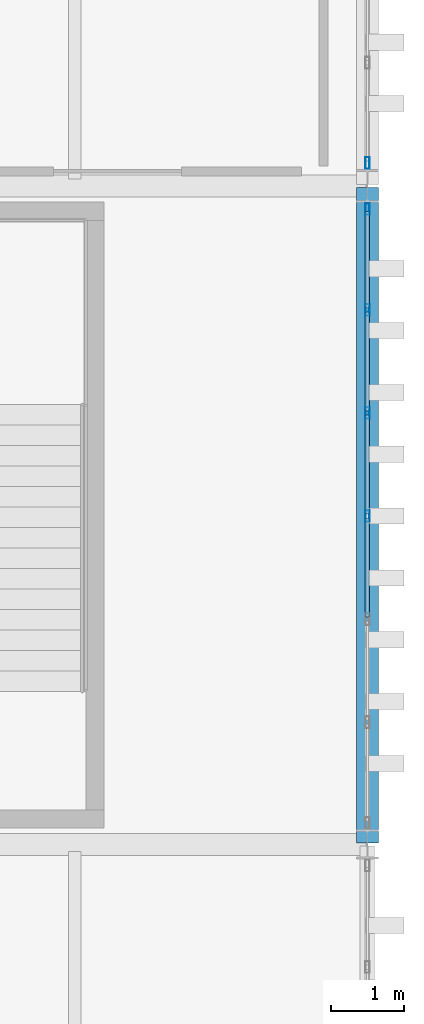
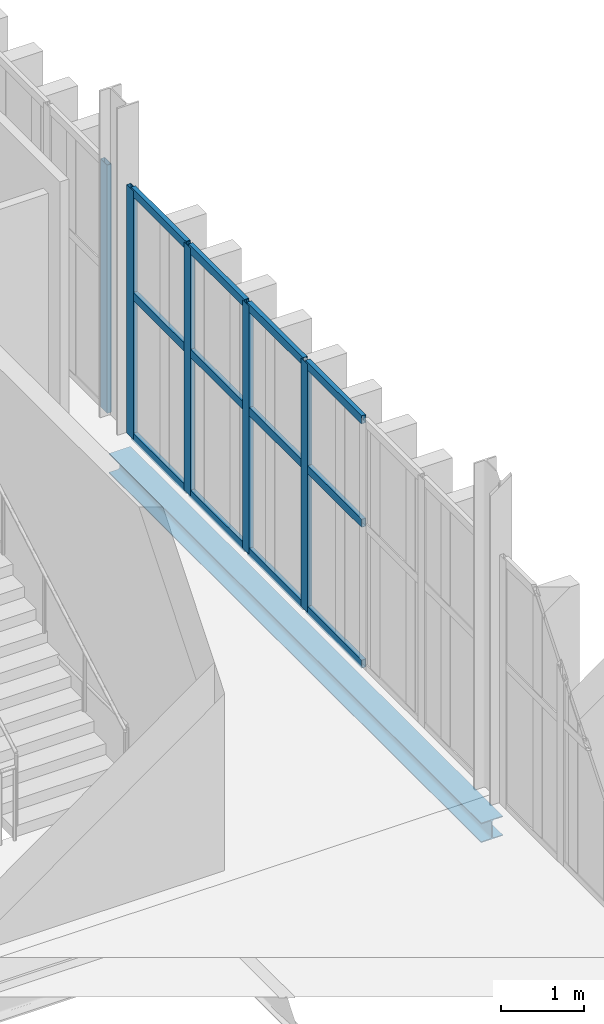
# One storey, part 130 of 196: 17 members, 1 beam, 2 elements without a shape of their own.
"""IFC4 building model written with IfcOpenShell, lengths in metres."""

import ifcopenshell
import ifcopenshell.guid

model = None  # the IFC model being written
_history = None  # IfcOwnerHistory: only IFC2X3 demands one
_inside = {}  # id of a spatial element -> (the spatial element, [elements in it])
_under = {}  # id of a project, library or spatial element -> (it, [spatial elements below it])
_declared = {}  # id of a project -> (the project, [libraries it declares])
_typed = {}  # id of a type object -> (the type object, [elements of that type])
_made_of = {}  # id of a material, layer set ... -> (it, [elements and type objects made of it])


def new_model(schema):
    """Start an empty IFC model of exactly this schema.

    Asked for "IFC4X3", IfcOpenShell would pick the latest addendum, in which some entities
    have other attributes; the version numbers below select the first issue.
    IFC2X3 requires an IfcOwnerHistory on every rooted entity: one is made here for all.
    """
    global model, _history
    if schema == "IFC4X3":
        model = ifcopenshell.file(schema_version=(4, 3, 0, 0))
    else:
        model = ifcopenshell.file(schema=schema)
    _inside.clear()
    _under.clear()
    _declared.clear()
    _typed.clear()
    _made_of.clear()
    _history = None
    if model.schema == "IFC2X3":
        org = make("IfcOrganization", Name="unknown")
        user = make(
            "IfcPersonAndOrganization",
            ThePerson=make("IfcPerson", FamilyName="unknown"),
            TheOrganization=org,
        )
        app = make(
            "IfcApplication",
            ApplicationDeveloper=org,
            Version="unknown",
            ApplicationFullName="unknown",
            ApplicationIdentifier="unknown",
        )
        _history = make(
            "IfcOwnerHistory",
            OwningUser=user,
            OwningApplication=app,
            ChangeAction="ADDED",
            CreationDate=0,
        )
    return model


def make(cls, **values):
    """One entity of the class cls with the attributes given. An attribute that is None is left unset."""
    return model.create_entity(
        cls, **{name: value for name, value in values.items() if value is not None}
    )


def rooted(cls, **values):
    """An entity with a GlobalId (a new one), such as an element, a storey or a relation."""
    return make(cls, GlobalId=ifcopenshell.guid.new(), OwnerHistory=_history, **values)


def si_unit(unit_type, name, prefix=None):
    """IfcSIUnit, for example si_unit("LENGTHUNIT", "METRE", prefix="MILLI")."""
    return make("IfcSIUnit", UnitType=unit_type, Prefix=prefix, Name=name)


def assignment(units):
    """IfcUnitAssignment: the units of a project."""
    return None if units is None else make("IfcUnitAssignment", Units=units)


def point(xyz):
    """IfcCartesianPoint."""
    return None if xyz is None else make("IfcCartesianPoint", Coordinates=xyz)


def direction(xyz):
    """IfcDirection."""
    return None if xyz is None else make("IfcDirection", DirectionRatios=xyz)


def frame(location, z_axis=None, x_axis=None):
    """IfcAxis2Placement3D, a coordinate frame: its origin and axes. An axis left out is left unset."""
    return make(
        "IfcAxis2Placement3D",
        Location=point(location),
        Axis=direction(z_axis),
        RefDirection=direction(x_axis),
    )


def frame_2d(location, x_axis=None):
    """IfcAxis2Placement2D, a coordinate frame in the plane: its origin and x axis."""
    return make(
        "IfcAxis2Placement2D", Location=point(location), RefDirection=direction(x_axis)
    )


def origin():
    """The frame at (0, 0, 0) with its axes left unset."""
    return frame((0.0, 0.0, 0.0))


def origin_2d():
    """The frame at (0, 0) in the plane with its x axis left unset."""
    return frame_2d((0.0, 0.0))


def place(relative_to, where):
    """IfcLocalPlacement: puts the frame where relative to a parent placement (None: the world)."""
    return make(
        "IfcLocalPlacement", PlacementRelTo=relative_to, RelativePlacement=where
    )


def context(
    kind, dimensions, precision=None, world=None, true_north=None, identifier=None
):
    """IfcGeometricRepresentationContext, for example the 3D "Model" context."""
    return make(
        "IfcGeometricRepresentationContext",
        ContextIdentifier=identifier,
        ContextType=kind,
        CoordinateSpaceDimension=dimensions,
        Precision=precision,
        WorldCoordinateSystem=world,
        TrueNorth=true_north,
    )


def subcontext(parent, identifier, kind, view, scale=None):
    """IfcGeometricRepresentationSubContext, for example "Body" below "Model"."""
    return make(
        "IfcGeometricRepresentationSubContext",
        ContextIdentifier=identifier,
        ContextType=kind,
        ParentContext=parent,
        TargetScale=scale,
        TargetView=view,
    )


def project(units=None, contexts=None):
    """IfcProject with its units and contexts."""
    return rooted(
        "IfcProject",
        Name="project",
        RepresentationContexts=contexts,
        UnitsInContext=assignment(units),
    )


def spatial(cls, under=None, at=None, **own):
    """A site, building, storey or space (cls), placed at a placement, below another one or the project."""
    s = rooted(cls, ObjectPlacement=at, **own)
    if under is not None:
        _under.setdefault(under.id(), (under, []))[1].append(s)
    return s


def profile(cls, at=None, kind="AREA", **sizes):
    """A parametric profile (cls). Its sizes go by their IFC names, for example OverallWidth=200.0."""
    return make(cls, ProfileType=kind, Position=at, **sizes)


def hollow_rectangle(**sizes):
    """IfcRectangleHollowProfileDef."""
    return profile("IfcRectangleHollowProfileDef", **sizes)


def i_section(**sizes):
    """IfcIShapeProfileDef."""
    return profile("IfcIShapeProfileDef", **sizes)


def extrude(swept, where, along, depth):
    """IfcExtrudedAreaSolid: the profile swept, set in the frame where, extruded along a direction by depth."""
    return make(
        "IfcExtrudedAreaSolid",
        SweptArea=swept,
        Position=where,
        ExtrudedDirection=direction(along),
        Depth=depth,
    )


def shape(context_of_items, identifier, shape_type, items):
    """IfcShapeRepresentation: the items that make up one representation, for example the "Body"."""
    return make(
        "IfcShapeRepresentation",
        ContextOfItems=context_of_items,
        RepresentationIdentifier=identifier,
        RepresentationType=shape_type,
        Items=items,
    )


def material(Name=None, Category=None):
    """IfcMaterial."""
    return make("IfcMaterial", Name=Name, Category=Category)


def layer(
    of_material, thickness, ventilated=None, Name=None, Category=None, Priority=None
):
    """IfcMaterialLayer: one layer of a wall or slab, of a material (None: an air gap)."""
    return make(
        "IfcMaterialLayer",
        Material=of_material,
        LayerThickness=thickness,
        IsVentilated=ventilated,
        Name=Name,
        Category=Category,
        Priority=Priority,
    )


def layer_set(layers, Name=None):
    """IfcMaterialLayerSet."""
    return make("IfcMaterialLayerSet", MaterialLayers=layers, LayerSetName=Name)


def material_profile(
    of_material, cross_section, Name=None, Category=None, Priority=None
):
    """IfcMaterialProfile: a cross section and its material."""
    return make(
        "IfcMaterialProfile",
        Name=Name,
        Material=of_material,
        Profile=cross_section,
        Priority=Priority,
        Category=Category,
    )


def profile_set(profiles, Name=None, composite=None):
    """IfcMaterialProfileSet."""
    return make(
        "IfcMaterialProfileSet",
        Name=Name,
        MaterialProfiles=profiles,
        CompositeProfile=composite,
    )


def made_of(thing, what):
    """Note that an element or type object is made of a material, layer set ...; save() writes the relation."""
    if what is not None:
        _made_of.setdefault(what.id(), (what, []))[1].append(thing)
    return thing


def type_object(cls, material=None, **own):
    """A type object (cls), such as IfcWallType, which elements share."""
    return made_of(rooted(cls, **own), material)


def element(
    cls,
    number,
    at=None,
    inside=None,
    cuts=None,
    type_object=None,
    material=None,
    context=None,
    identifier="Body",
    shape_type=None,
    held_by="IfcProductDefinitionShape",
    body=None,
    shapes=None,
    **own,
):
    """One element of the class cls, such as IfcWall. Its Tag is "e" and its number.

    at: its placement. inside: the storey or other place that contains it. cuts: it is an
    opening in that element (IfcRelVoidsElement). A single representation is given by context,
    identifier, shape_type and body (its items); several are given by shapes. held_by: the class
    of the entity that holds the representations. save() writes the other relations.
    """
    e = rooted(cls, Tag="e%d" % number, ObjectPlacement=at, **own)
    if body is not None:
        shapes = [shape(context, identifier, shape_type, body)]
    if shapes is not None:
        e.Representation = make(held_by, Representations=shapes)
    if inside is not None:
        _inside.setdefault(inside.id(), (inside, []))[1].append(e)
    if cuts is not None:
        rooted(
            "IfcRelVoidsElement", RelatingBuildingElement=cuts, RelatedOpeningElement=e
        )
    if type_object is not None:
        _typed.setdefault(type_object.id(), (type_object, []))[1].append(e)
    return made_of(e, material)


def aggregate(whole, parts):
    """IfcRelAggregates: a whole, such as a stair, and the parts it consists of."""
    return rooted("IfcRelAggregates", RelatingObject=whole, RelatedObjects=parts)


def save(model, path):
    """Write the relations noted so far, then the file.

    IfcRelAggregates (storeys below a building ...), IfcRelContainedInSpatialStructure (elements
    in a storey), IfcRelDefinesByType, IfcRelAssociatesMaterial and IfcRelDeclares: one each for
    every whole, place, type object, material and project.
    """
    for whole, parts in _under.values():
        aggregate(whole, parts)
    for where, things in _inside.values():
        rooted(
            "IfcRelContainedInSpatialStructure",
            RelatedElements=things,
            RelatingStructure=where,
        )
    for kind, things in _typed.values():
        rooted("IfcRelDefinesByType", RelatedObjects=things, RelatingType=kind)
    for what, things in _made_of.values():
        rooted("IfcRelAssociatesMaterial", RelatedObjects=things, RelatingMaterial=what)
    for by, libraries in _declared.values():
        rooted("IfcRelDeclares", RelatingContext=by, RelatedDefinitions=libraries)
    model.write(path)


model = new_model("IFC4")

# Units and contexts
model_context = context("Model", 3, precision=1e-05, world=origin(), true_north=direction((0.0, 1.0)))
body_context = subcontext(model_context, "Body", "Model", "MODEL_VIEW")
ifc_project = project(units=[si_unit("LENGTHUNIT", "METRE"), si_unit("AREAUNIT", "SQUARE_METRE"), si_unit("VOLUMEUNIT", "CUBIC_METRE"), si_unit("PLANEANGLEUNIT", "RADIAN"), si_unit("MASSUNIT", "GRAM", prefix="KILO")], contexts=[model_context])

# Site, building, storey
site_placement = place(None, origin())
site = spatial("IfcSite", under=ifc_project, at=site_placement, CompositionType="ELEMENT")
building_placement = place(site_placement, origin())
building = spatial("IfcBuilding", under=site, at=building_placement, Name="Barlavento Convention Centre", CompositionType="ELEMENT")
storey_placement = place(building_placement, frame((0.0, 0.0, 18.0)))
storey = spatial("IfcBuildingStorey", under=building, at=storey_placement, Name="L03", CompositionType="ELEMENT", Elevation=18.0)

# Curtain wall, members
ifc_material_1 = material(Name="Powder-coated aluminium and Low-E glass", Category="aluminium")
ifc_layer = layer(ifc_material_1, 0.179931640625)
ifc_layer_set = layer_set([ifc_layer], Name="ARC-CW-CONF-L03")
curtain_wall_type = type_object("IfcCurtainWallType", Name="ARC-CW-CONF-L03", PredefinedType="NOTDEFINED", material=ifc_layer_set)
curtain_wall_1_placement = place(storey_placement, origin())
curtain_wall_1 = element("IfcCurtainWall", 1, at=curtain_wall_1_placement, inside=storey, type_object=curtain_wall_type, Name="L03 unitised curtain wall CW08", PredefinedType="NOTDEFINED")
ifc_material_2 = material(Name="Powder-coated aluminium", Category="aluminium")
ifc_material_profile_1 = material_profile(ifc_material_2, hollow_rectangle(XDim=0.06005859375, YDim=0.159912109375, WallThickness=0.00390625, at=origin_2d()), Name="AL-MULL 60x160x4")
ifc_profile_set_1 = profile_set([ifc_material_profile_1], Name="Powder-coated aluminium")
member_type_1 = type_object("IfcMemberType", Name="ARC-CWM-60X160", PredefinedType="MULLION", material=ifc_profile_set_1)
member_1_placement = place(storey_placement, frame((192.0, 58.487548828125, 0.0), z_axis=(0.0, 0.0, 1.0), x_axis=(-1.0, 0.0, 0.0)))
member_1 = element("IfcMember", 2, at=member_1_placement, type_object=member_type_1, Name="CW08 mullion 4", PredefinedType="MULLION", context=body_context, shape_type="SweptSolid", body=[
    extrude(hollow_rectangle(XDim=0.06005859375, YDim=0.159912109375, WallThickness=0.00390625, at=origin_2d()), origin(), (0.0, 0.0, 1.0), 3.64990234375),
])
member_2_placement = place(storey_placement, frame((192.0, 59.896728515625, 0.0), z_axis=(0.0, 0.0, 1.0), x_axis=(-1.0, 0.0, 0.0)))
member_2 = element("IfcMember", 3, at=member_2_placement, type_object=member_type_1, Name="CW08 mullion 5", PredefinedType="MULLION", context=body_context, shape_type="SweptSolid", body=[
    extrude(hollow_rectangle(XDim=0.06005859375, YDim=0.159912109375, WallThickness=0.00390625, at=origin_2d()), origin(), (0.0, 0.0, 1.0), 3.64990234375),
])
member_3_placement = place(storey_placement, frame((192.0, 61.305908203125, 0.0), z_axis=(0.0, 0.0, 1.0), x_axis=(-1.0, 0.0, 0.0)))
member_3 = element("IfcMember", 4, at=member_3_placement, type_object=member_type_1, Name="CW08 mullion 6", PredefinedType="MULLION", context=body_context, shape_type="SweptSolid", body=[
    extrude(hollow_rectangle(XDim=0.06005859375, YDim=0.159912109375, WallThickness=0.00390625, at=origin_2d()), origin(), (0.0, 0.0, 1.0), 3.64990234375),
])
member_4_placement = place(storey_placement, frame((192.0, 62.68505859375, 0.0), z_axis=(0.0, 0.0, 1.0), x_axis=(-1.0, 0.0, 0.0)))
member_4 = element("IfcMember", 5, at=member_4_placement, type_object=member_type_1, Name="CW08 mullion 7", PredefinedType="MULLION", context=body_context, shape_type="SweptSolid", body=[
    extrude(hollow_rectangle(XDim=0.06005859375, YDim=0.159912109375, WallThickness=0.00390625, at=origin_2d()), origin(), (0.0, 0.0, 1.0), 3.64990234375),
])

# Curtain wall, member
curtain_wall_2_placement = place(storey_placement, origin())
curtain_wall_2 = element("IfcCurtainWall", 6, at=curtain_wall_2_placement, inside=storey, type_object=curtain_wall_type, Name="L03 unitised curtain wall CW08", PredefinedType="NOTDEFINED")
member_5_placement = place(storey_placement, frame((192.0, 63.31494140625, 0.0), z_axis=(0.0, 0.0, 1.0), x_axis=(-1.0, 0.0, 0.0)))
member_5 = element("IfcMember", 7, at=member_5_placement, type_object=member_type_1, Name="CW08 mullion 1", PredefinedType="MULLION", context=body_context, shape_type="SweptSolid", body=[
    extrude(hollow_rectangle(XDim=0.06005859375, YDim=0.159912109375, WallThickness=0.00390625, at=origin_2d()), origin(), (0.0, 0.0, 1.0), 3.64990234375),
])
aggregate(curtain_wall_2, [member_5])

# Member
ifc_material_profile_2 = material_profile(ifc_material_2, hollow_rectangle(XDim=0.06005859375, YDim=0.1201171875, WallThickness=0.00390625, at=origin_2d()), Name="AL-TRAN 60x120x4")
ifc_profile_set_2 = profile_set([ifc_material_profile_2], Name="Powder-coated aluminium")
member_type_2 = type_object("IfcMemberType", Name="ARC-CWT-60X120", PredefinedType="USERDEFINED", material=ifc_profile_set_2)
member_6_placement = place(storey_placement, frame((192.0, 57.1083984375, 0.030029296875), z_axis=(0.0, 1.0, 0.0), x_axis=(-1.0, 0.0, 0.0)))
member_6 = element("IfcMember", 8, at=member_6_placement, type_object=member_type_2, Name="CW08 transom 3.1", ObjectType="TRANSOM", PredefinedType="USERDEFINED", context=body_context, shape_type="SweptSolid", body=[
    extrude(hollow_rectangle(XDim=0.06005859375, YDim=0.1201171875, WallThickness=0.00390625, at=origin_2d()), origin(), (0.0, 0.0, 1.0), 1.34912109375),
])

member_7_placement = place(storey_placement, frame((192.0, 57.1083984375, 2.10009765625), z_axis=(0.0, 1.0, 0.0), x_axis=(-1.0, 0.0, 0.0)))
member_7 = element("IfcMember", 9, at=member_7_placement, type_object=member_type_2, Name="CW08 transom 3.2", ObjectType="TRANSOM", PredefinedType="USERDEFINED", context=body_context, shape_type="SweptSolid", body=[
    extrude(hollow_rectangle(XDim=0.06005859375, YDim=0.1201171875, WallThickness=0.00390625, at=origin_2d()), origin(), (0.0, 0.0, 1.0), 1.34912109375),
])

member_8_placement = place(storey_placement, frame((192.0, 57.1083984375, 3.6201171875), z_axis=(0.0, 1.0, 0.0), x_axis=(-1.0, 0.0, 0.0)))
member_8 = element("IfcMember", 10, at=member_8_placement, type_object=member_type_2, Name="CW08 transom 3.3", ObjectType="TRANSOM", PredefinedType="USERDEFINED", context=body_context, shape_type="SweptSolid", body=[
    extrude(hollow_rectangle(XDim=0.06005859375, YDim=0.1201171875, WallThickness=0.00390625, at=origin_2d()), origin(), (0.0, 0.0, 1.0), 1.34912109375),
])

member_9_placement = place(storey_placement, frame((192.0, 58.517578125, 0.030029296875), z_axis=(0.0, 1.0, 0.0), x_axis=(-1.0, 0.0, 0.0)))
member_9 = element("IfcMember", 11, at=member_9_placement, type_object=member_type_2, Name="CW08 transom 4.1", ObjectType="TRANSOM", PredefinedType="USERDEFINED", context=body_context, shape_type="SweptSolid", body=[
    extrude(hollow_rectangle(XDim=0.06005859375, YDim=0.1201171875, WallThickness=0.00390625, at=origin_2d()), origin(), (0.0, 0.0, 1.0), 1.34912109375),
])

member_10_placement = place(storey_placement, frame((192.0, 58.517578125, 2.10009765625), z_axis=(0.0, 1.0, 0.0), x_axis=(-1.0, 0.0, 0.0)))
member_10 = element("IfcMember", 12, at=member_10_placement, type_object=member_type_2, Name="CW08 transom 4.2", ObjectType="TRANSOM", PredefinedType="USERDEFINED", context=body_context, shape_type="SweptSolid", body=[
    extrude(hollow_rectangle(XDim=0.06005859375, YDim=0.1201171875, WallThickness=0.00390625, at=origin_2d()), origin(), (0.0, 0.0, 1.0), 1.34912109375),
])

member_11_placement = place(storey_placement, frame((192.0, 58.517578125, 3.6201171875), z_axis=(0.0, 1.0, 0.0), x_axis=(-1.0, 0.0, 0.0)))
member_11 = element("IfcMember", 13, at=member_11_placement, type_object=member_type_2, Name="CW08 transom 4.3", ObjectType="TRANSOM", PredefinedType="USERDEFINED", context=body_context, shape_type="SweptSolid", body=[
    extrude(hollow_rectangle(XDim=0.06005859375, YDim=0.1201171875, WallThickness=0.00390625, at=origin_2d()), origin(), (0.0, 0.0, 1.0), 1.34912109375),
])

member_12_placement = place(storey_placement, frame((192.0, 59.9267578125, 0.030029296875), z_axis=(0.0, 1.0, 0.0), x_axis=(-1.0, 0.0, 0.0)))
member_12 = element("IfcMember", 14, at=member_12_placement, type_object=member_type_2, Name="CW08 transom 5.1", ObjectType="TRANSOM", PredefinedType="USERDEFINED", context=body_context, shape_type="SweptSolid", body=[
    extrude(hollow_rectangle(XDim=0.06005859375, YDim=0.1201171875, WallThickness=0.00390625, at=origin_2d()), origin(), (0.0, 0.0, 1.0), 1.34912109375),
])

member_13_placement = place(storey_placement, frame((192.0, 59.9267578125, 2.10009765625), z_axis=(0.0, 1.0, 0.0), x_axis=(-1.0, 0.0, 0.0)))
member_13 = element("IfcMember", 15, at=member_13_placement, type_object=member_type_2, Name="CW08 transom 5.2", ObjectType="TRANSOM", PredefinedType="USERDEFINED", context=body_context, shape_type="SweptSolid", body=[
    extrude(hollow_rectangle(XDim=0.06005859375, YDim=0.1201171875, WallThickness=0.00390625, at=origin_2d()), origin(), (0.0, 0.0, 1.0), 1.34912109375),
])

member_14_placement = place(storey_placement, frame((192.0, 59.9267578125, 3.6201171875), z_axis=(0.0, 1.0, 0.0), x_axis=(-1.0, 0.0, 0.0)))
member_14 = element("IfcMember", 16, at=member_14_placement, type_object=member_type_2, Name="CW08 transom 5.3", ObjectType="TRANSOM", PredefinedType="USERDEFINED", context=body_context, shape_type="SweptSolid", body=[
    extrude(hollow_rectangle(XDim=0.06005859375, YDim=0.1201171875, WallThickness=0.00390625, at=origin_2d()), origin(), (0.0, 0.0, 1.0), 1.34912109375),
])

member_15_placement = place(storey_placement, frame((192.0, 61.3359375, 0.030029296875), z_axis=(0.0, 1.0, 0.0), x_axis=(-1.0, 0.0, 0.0)))
member_15 = element("IfcMember", 17, at=member_15_placement, type_object=member_type_2, Name="CW08 transom 6.1", ObjectType="TRANSOM", PredefinedType="USERDEFINED", context=body_context, shape_type="SweptSolid", body=[
    extrude(hollow_rectangle(XDim=0.06005859375, YDim=0.1201171875, WallThickness=0.00390625, at=origin_2d()), origin(), (0.0, 0.0, 1.0), 1.319091796875),
])

member_16_placement = place(storey_placement, frame((192.0, 61.3359375, 2.10009765625), z_axis=(0.0, 1.0, 0.0), x_axis=(-1.0, 0.0, 0.0)))
member_16 = element("IfcMember", 18, at=member_16_placement, type_object=member_type_2, Name="CW08 transom 6.2", ObjectType="TRANSOM", PredefinedType="USERDEFINED", context=body_context, shape_type="SweptSolid", body=[
    extrude(hollow_rectangle(XDim=0.06005859375, YDim=0.1201171875, WallThickness=0.00390625, at=origin_2d()), origin(), (0.0, 0.0, 1.0), 1.319091796875),
])

member_17_placement = place(storey_placement, frame((192.0, 61.3359375, 3.6201171875), z_axis=(0.0, 1.0, 0.0), x_axis=(-1.0, 0.0, 0.0)))
member_17 = element("IfcMember", 19, at=member_17_placement, type_object=member_type_2, Name="CW08 transom 6.3", ObjectType="TRANSOM", PredefinedType="USERDEFINED", context=body_context, shape_type="SweptSolid", body=[
    extrude(hollow_rectangle(XDim=0.06005859375, YDim=0.1201171875, WallThickness=0.00390625, at=origin_2d()), origin(), (0.0, 0.0, 1.0), 1.319091796875),
])

aggregate(curtain_wall_1, [member_1, member_2, member_3, member_4, member_6, member_7, member_8, member_9, member_10, member_11, member_12, member_13, member_14, member_15, member_16, member_17])

# Beam
ifc_material_3 = material(Name="Steel S355", Category="steel")
ifc_material_profile_3 = material_profile(ifc_material_3, i_section(OverallWidth=0.300048828125, OverallDepth=0.2900390625, WebThickness=0.008544921875, FlangeThickness=0.013916015625, FilletRadius=0.027099609375, at=origin_2d()), Name="HEA 300")
ifc_profile_set_3 = profile_set([ifc_material_profile_3], Name="Steel S355")
beam_type = type_object("IfcBeamType", Name="STR-BM-SPN-HEA300", PredefinedType="SPANDREL", material=ifc_profile_set_3)
beam_placement = place(storey_placement, frame((192.0, 54.02001953125, -0.534912109375), z_axis=(0.0, 1.0, 0.0), x_axis=(-1.0, 0.0, 0.0)))
element("IfcBeam", 20, at=beam_placement, inside=storey, type_object=beam_type, Name="L03 grid girder SP02", PredefinedType="SPANDREL", context=body_context, shape_type="SweptSolid", body=[
    extrude(i_section(OverallWidth=0.300048828125, OverallDepth=0.2900390625, WebThickness=0.008544921875, FlangeThickness=0.013916015625, FilletRadius=0.027099609375, at=origin_2d()), origin(), (0.0, 0.0, 1.0), 8.9599609375),
])

save(model, "model.ifc")
